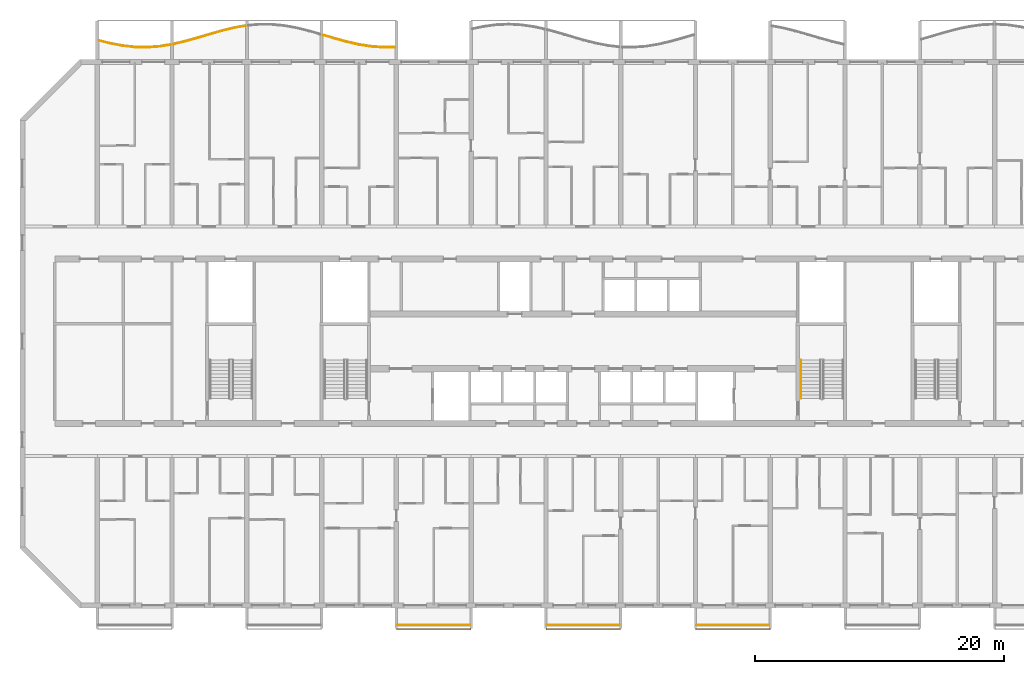
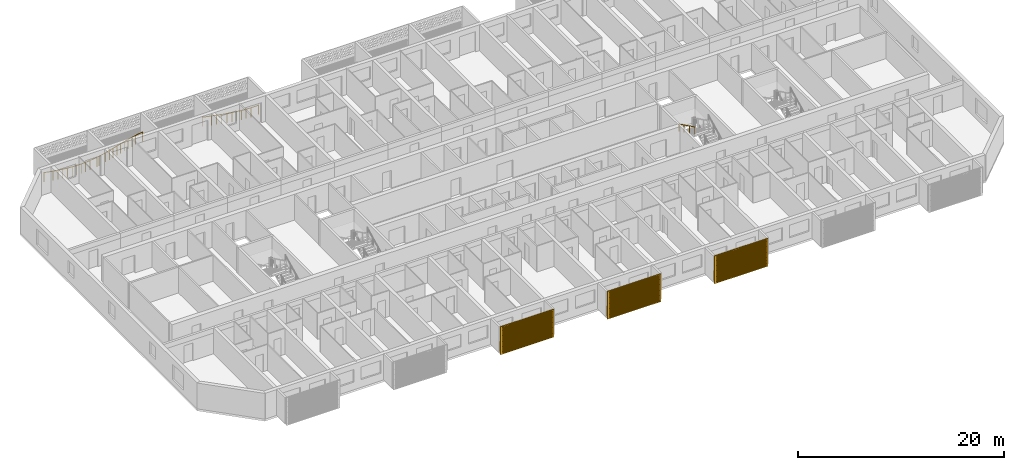
# One storey, part 18 of 26: 7 railings, 3 shading devices.
"""IFC4 building model written with IfcOpenShell, lengths in metres."""

from ifc_helpers import new_model, si_unit, direction, frame, origin, origin_2d, place, context, subcontext, project, spatial, polyline, circle, outline, extrude, source, transform, mapped, material, material_profile, profile_set, type_object, element, save


model = new_model("IFC4")

# Units and contexts
model_context = context("Model", 3, precision=1e-05, world=origin(), true_north=direction((0.0, 1.0)))
body_context = subcontext(model_context, "Body", "Model", "MODEL_VIEW")
ifc_project = project(units=[si_unit("LENGTHUNIT", "METRE"), si_unit("AREAUNIT", "SQUARE_METRE"), si_unit("VOLUMEUNIT", "CUBIC_METRE"), si_unit("PLANEANGLEUNIT", "RADIAN"), si_unit("MASSUNIT", "GRAM", prefix="KILO")], contexts=[model_context])

# Site, building, storey
site_placement = place(None, origin())
site = spatial("IfcSite", under=ifc_project, at=site_placement, CompositionType="ELEMENT")
building_placement = place(site_placement, origin())
building = spatial("IfcBuilding", under=site, at=building_placement, Name="Poui Terraces", CompositionType="ELEMENT")
storey_placement = place(building_placement, frame((0.0, 0.0, 79.5)))
storey = spatial("IfcBuildingStorey", under=building, at=storey_placement, Name="L21", CompositionType="ELEMENT", Elevation=79.5)

# Railings
ifc_material_1 = material(Name="Painted steel fretwork", Category="steel")
railing_type_1 = type_object("IfcRailingType", Name="BALCONY GUARD 1100", PredefinedType="GUARDRAIL", material=ifc_material_1)
railing_1_placement = place(storey_placement, frame((12.125, 45.321044921875, 0.0)))
element("IfcRailing", 1, at=railing_1_placement, inside=storey, type_object=railing_type_1, Name="BALCONY GUARD", PredefinedType="GUARDRAIL", context=body_context, shape_type="SweptSolid", body=[
    extrude(circle(Radius=0.02392578125, at=origin_2d()), frame((0.0, 0.0, 1.076171875), z_axis=(0.969631101491, -0.24457213051, 0.0), x_axis=(0.24457213051, 0.969631101491, 0.0)), (0.0, 0.0, 1.0), 0.90234375),
    extrude(circle(Radius=0.02392578125, at=origin_2d()), frame((0.875, -0.220703125, 1.076171875), z_axis=(0.981724998512, -0.190305090044, 0.0), x_axis=(0.190305090044, 0.981724998512, 0.0)), (0.0, 0.0, 1.0), 1.0185546875),
    extrude(circle(Radius=0.02392578125, at=origin_2d()), frame((1.875, -0.41455078125, 1.076171875), z_axis=(0.993725924527, -0.111842688283, 0.0), x_axis=(0.111842688283, 0.993725924527, 0.0)), (0.0, 0.0, 1.0), 1.00634765625),
    extrude(circle(Radius=0.02392578125, at=origin_2d()), frame((2.875, -0.527099609375, 1.076171875), z_axis=(0.999804524294, -0.019771525017, 0.0), x_axis=(0.019771525017, 0.999804524294, 0.0)), (0.0, 0.0, 1.0), 1.000244140625),
    extrude(circle(Radius=0.02392578125, at=origin_2d()), frame((3.875, -0.546875, 1.076171875), z_axis=(0.997202940152, 0.074741528962, 0.0), x_axis=(-0.074741528962, 0.997202940152, 0.0)), (0.0, 0.0, 1.0), 1.002685546875),
    extrude(circle(Radius=0.02392578125, at=origin_2d()), frame((4.875, -0.471923828125, 1.076171875), z_axis=(0.987927799636, 0.154915017689, 0.0), x_axis=(-0.154915017689, 0.987927799636, 0.0)), (0.0, 0.0, 1.0), 0.8857421875),
    extrude(circle(Radius=0.02099609375, at=origin_2d()), origin(), (0.0, 0.0, 1.0), 1.052001953125),
    extrude(circle(Radius=0.02099609375, at=origin_2d()), frame((0.875, -0.220703125, 0.0)), (0.0, 0.0, 1.0), 1.052001953125),
    extrude(circle(Radius=0.02099609375, at=origin_2d()), frame((1.375, -0.317626953125, 0.0)), (0.0, 0.0, 1.0), 1.052001953125),
    extrude(circle(Radius=0.02099609375, at=origin_2d()), frame((1.875, -0.41455078125, 0.0)), (0.0, 0.0, 1.0), 1.052001953125),
    extrude(circle(Radius=0.02099609375, at=origin_2d()), frame((2.375, -0.470703125, 0.0)), (0.0, 0.0, 1.0), 1.052001953125),
    extrude(circle(Radius=0.02099609375, at=origin_2d()), frame((2.875, -0.527099609375, 0.0)), (0.0, 0.0, 1.0), 1.052001953125),
    extrude(circle(Radius=0.02099609375, at=origin_2d()), frame((3.375, -0.537109375, 0.0)), (0.0, 0.0, 1.0), 1.052001953125),
    extrude(circle(Radius=0.02099609375, at=origin_2d()), frame((3.875, -0.546875, 0.0)), (0.0, 0.0, 1.0), 1.052001953125),
    extrude(circle(Radius=0.02099609375, at=origin_2d()), frame((4.375, -0.50927734375, 0.0)), (0.0, 0.0, 1.0), 1.052001953125),
    extrude(circle(Radius=0.02099609375, at=origin_2d()), frame((4.875, -0.471923828125, 0.0)), (0.0, 0.0, 1.0), 1.052001953125),
    extrude(circle(Radius=0.02099609375, at=origin_2d()), frame((5.75, -0.334716796875, 0.0)), (0.0, 0.0, 1.0), 1.052001953125),
])
railing_2_placement = place(storey_placement, frame((18.125, 45.03662109375, 0.0)))
element("IfcRailing", 2, at=railing_2_placement, inside=storey, type_object=railing_type_1, Name="BALCONY GUARD", PredefinedType="GUARDRAIL", context=body_context, shape_type="SweptSolid", body=[
    extrude(circle(Radius=0.02392578125, at=origin_2d()), frame((0.0, 0.0, 1.076171875), z_axis=(0.973192348595, 0.229992723008, 0.0), x_axis=(-0.229992723008, 0.973192348595, 0.0)), (0.0, 0.0, 1.0), 0.899169921875),
    extrude(circle(Radius=0.02392578125, at=origin_2d()), frame((0.875, 0.206787109375, 1.076171875), z_axis=(0.963261408291, 0.268565558659, 0.0), x_axis=(-0.268565558659, 0.963261408291, 0.0)), (0.0, 0.0, 1.0), 1.0380859375),
    extrude(circle(Radius=0.02392578125, at=origin_2d()), frame((1.875, 0.485595703125, 1.076171875), z_axis=(0.958710700624, 0.284383179018, 0.0), x_axis=(-0.284383179018, 0.958710700624, 0.0)), (0.0, 0.0, 1.0), 1.04296875),
    extrude(circle(Radius=0.02392578125, at=origin_2d()), frame((2.875, 0.7822265625, 1.076171875), z_axis=(0.961974635381, 0.273138794177, 0.0), x_axis=(-0.273138794177, 0.961974635381, 0.0)), (0.0, 0.0, 1.0), 1.03955078125),
    extrude(circle(Radius=0.02392578125, at=origin_2d()), frame((3.875, 1.066162109375, 1.076171875), z_axis=(0.97195702449, 0.235158547673, 0.0), x_axis=(-0.235158547673, 0.97195702449, 0.0)), (0.0, 0.0, 1.0), 1.02880859375),
    extrude(circle(Radius=0.02392578125, at=origin_2d()), frame((4.875, 1.30810546875, 1.076171875), z_axis=(0.984189068803, 0.177121079626, 0.0), x_axis=(-0.177121079626, 0.984189068803, 0.0)), (0.0, 0.0, 1.0), 0.88916015625),
    extrude(circle(Radius=0.02099609375, at=origin_2d()), origin(), (0.0, 0.0, 1.0), 1.052001953125),
    extrude(circle(Radius=0.02099609375, at=origin_2d()), frame((0.875, 0.206787109375, 0.0)), (0.0, 0.0, 1.0), 1.052001953125),
    extrude(circle(Radius=0.02099609375, at=origin_2d()), frame((1.375, 0.34619140625, 0.0)), (0.0, 0.0, 1.0), 1.052001953125),
    extrude(circle(Radius=0.02099609375, at=origin_2d()), frame((1.875, 0.485595703125, 0.0)), (0.0, 0.0, 1.0), 1.052001953125),
    extrude(circle(Radius=0.02099609375, at=origin_2d()), frame((2.375, 0.6337890625, 0.0)), (0.0, 0.0, 1.0), 1.052001953125),
    extrude(circle(Radius=0.02099609375, at=origin_2d()), frame((2.875, 0.7822265625, 0.0)), (0.0, 0.0, 1.0), 1.052001953125),
    extrude(circle(Radius=0.02099609375, at=origin_2d()), frame((3.375, 0.92431640625, 0.0)), (0.0, 0.0, 1.0), 1.052001953125),
    extrude(circle(Radius=0.02099609375, at=origin_2d()), frame((3.875, 1.066162109375, 0.0)), (0.0, 0.0, 1.0), 1.052001953125),
    extrude(circle(Radius=0.02099609375, at=origin_2d()), frame((4.375, 1.18701171875, 0.0)), (0.0, 0.0, 1.0), 1.052001953125),
    extrude(circle(Radius=0.02099609375, at=origin_2d()), frame((4.875, 1.30810546875, 0.0)), (0.0, 0.0, 1.0), 1.052001953125),
    extrude(circle(Radius=0.02099609375, at=origin_2d()), frame((5.75, 1.465576171875, 0.0)), (0.0, 0.0, 1.0), 1.052001953125),
])
railing_3_placement = place(storey_placement, frame((30.125, 45.757080078125, 0.0)))
element("IfcRailing", 3, at=railing_3_placement, inside=storey, type_object=railing_type_1, Name="BALCONY GUARD", PredefinedType="GUARDRAIL", context=body_context, shape_type="SweptSolid", body=[
    extrude(circle(Radius=0.02392578125, at=origin_2d()), frame((0.0, 0.0, 1.076171875), z_axis=(0.9587927149, -0.284106546658, 0.0), x_axis=(0.284106546658, 0.9587927149, 0.0)), (0.0, 0.0, 1.0), 0.91259765625),
    extrude(circle(Radius=0.02392578125, at=origin_2d()), frame((0.875, -0.25927734375, 1.076171875), z_axis=(0.963928100541, -0.26616276409, 0.0), x_axis=(0.26616276409, 0.963928100541, 0.0)), (0.0, 0.0, 1.0), 1.037353515625),
    extrude(circle(Radius=0.02392578125, at=origin_2d()), frame((1.875, -0.535400390625, 1.076171875), z_axis=(0.975128178395, -0.221641683127, 0.0), x_axis=(0.221641683127, 0.975128178395, 0.0)), (0.0, 0.0, 1.0), 1.025390625),
    extrude(circle(Radius=0.02392578125, at=origin_2d()), frame((2.875, -0.7626953125, 1.076171875), z_axis=(0.9881587723, -0.153434809371, 0.0), x_axis=(0.153434809371, 0.9881587723, 0.0)), (0.0, 0.0, 1.0), 1.011962890625),
    extrude(circle(Radius=0.02392578125, at=origin_2d()), frame((3.875, -0.91796875, 1.076171875), z_axis=(0.997770042152, -0.066745359265, 0.0), x_axis=(0.066745359265, 0.997770042152, 0.0)), (0.0, 0.0, 1.0), 1.002197265625),
    extrude(circle(Radius=0.02392578125, at=origin_2d()), frame((4.875, -0.98486328125, 1.076171875), z_axis=(0.99976326146, 0.021758240623, 0.0), x_axis=(-0.021758240623, 0.99976326146, 0.0)), (0.0, 0.0, 1.0), 0.875244140625),
    extrude(circle(Radius=0.02099609375, at=origin_2d()), origin(), (0.0, 0.0, 1.0), 1.052001953125),
    extrude(circle(Radius=0.02099609375, at=origin_2d()), frame((0.875, -0.25927734375, 0.0)), (0.0, 0.0, 1.0), 1.052001953125),
    extrude(circle(Radius=0.02099609375, at=origin_2d()), frame((1.375, -0.3974609375, 0.0)), (0.0, 0.0, 1.0), 1.052001953125),
    extrude(circle(Radius=0.02099609375, at=origin_2d()), frame((1.875, -0.535400390625, 0.0)), (0.0, 0.0, 1.0), 1.052001953125),
    extrude(circle(Radius=0.02099609375, at=origin_2d()), frame((2.375, -0.64892578125, 0.0)), (0.0, 0.0, 1.0), 1.052001953125),
    extrude(circle(Radius=0.02099609375, at=origin_2d()), frame((2.875, -0.7626953125, 0.0)), (0.0, 0.0, 1.0), 1.052001953125),
    extrude(circle(Radius=0.02099609375, at=origin_2d()), frame((3.375, -0.84033203125, 0.0)), (0.0, 0.0, 1.0), 1.052001953125),
    extrude(circle(Radius=0.02099609375, at=origin_2d()), frame((3.875, -0.91796875, 0.0)), (0.0, 0.0, 1.0), 1.052001953125),
    extrude(circle(Radius=0.02099609375, at=origin_2d()), frame((4.375, -0.951416015625, 0.0)), (0.0, 0.0, 1.0), 1.052001953125),
    extrude(circle(Radius=0.02099609375, at=origin_2d()), frame((4.875, -0.98486328125, 0.0)), (0.0, 0.0, 1.0), 1.052001953125),
    extrude(circle(Radius=0.02099609375, at=origin_2d()), frame((5.75, -0.9658203125, 0.0)), (0.0, 0.0, 1.0), 1.052001953125),
])
for number, where, name in (
    (4, (36.10009765625, -1.570068359375, 0.0), "BALCONY GUARD"),
    (5, (48.10009765625, -1.570068359375, 0.0), "BALCONY GUARD"),
    (6, (60.10009765625, -1.570068359375, 0.0), "BALCONY GUARD"),
):
    element("IfcRailing", number, at=place(storey_placement, frame(where)), inside=storey, type_object=railing_type_1, Name=name, PredefinedType="GUARDRAIL", context=body_context, shape_type="SweptSolid", body=[
        extrude(circle(Radius=0.02392578125, at=origin_2d()), frame((0.0, 0.0, 1.076171875), z_axis=(1.0, 0.0, 0.0), x_axis=(0.0, 1.0, 0.0)), (0.0, 0.0, 1.0), 5.7998046875),
        extrude(circle(Radius=0.02099609375, at=origin_2d()), origin(), (0.0, 0.0, 1.0), 1.052001953125),
        extrude(circle(Radius=0.02099609375, at=origin_2d()), frame((0.966552734375, 0.0, 0.0)), (0.0, 0.0, 1.0), 1.052001953125),
        extrude(circle(Radius=0.02099609375, at=origin_2d()), frame((1.933349609375, 0.0, 0.0)), (0.0, 0.0, 1.0), 1.052001953125),
        extrude(circle(Radius=0.02099609375, at=origin_2d()), frame((2.89990234375, 0.0, 0.0)), (0.0, 0.0, 1.0), 1.052001953125),
        extrude(circle(Radius=0.02099609375, at=origin_2d()), frame((3.866455078125, 0.0, 0.0)), (0.0, 0.0, 1.0), 1.052001953125),
        extrude(circle(Radius=0.02099609375, at=origin_2d()), frame((4.833251953125, 0.0, 0.0)), (0.0, 0.0, 1.0), 1.052001953125),
        extrude(circle(Radius=0.02099609375, at=origin_2d()), frame((5.7998046875, 0.0, 0.0)), (0.0, 0.0, 1.0), 1.052001953125),
    ])
ifc_material_2 = material(Name="Stainless steel handrail", Category="steel")
railing_type_2 = type_object("IfcRailingType", Name="STAIR HANDRAIL 900", PredefinedType="HANDRAIL", material=ifc_material_2)
railing_4_placement = place(storey_placement, frame((68.47509765625, 19.679931640625, 1.78759765625)))
element("IfcRailing", 7, at=railing_4_placement, inside=storey, type_object=railing_type_2, Name="L21 ST-CE stair handrail 2", PredefinedType="HANDRAIL", context=body_context, shape_type="SweptSolid", body=[
    extrude(circle(Radius=0.02392578125, at=origin_2d()), frame((0.0, 0.0, 0.8759765625), z_axis=(0.0, -0.897606190399, 0.440798283751), x_axis=(1.0, 0.0, 0.0)), (0.0, 0.0, 1.0), 3.43115234375),
    extrude(circle(Radius=0.02099609375, at=origin_2d()), origin(), (0.0, 0.0, 1.0), 0.851806640625),
    extrude(circle(Radius=0.02099609375, at=origin_2d()), frame((0.0, -1.026611328125, 0.504150390625)), (0.0, 0.0, 1.0), 0.851806640625),
    extrude(circle(Radius=0.02099609375, at=origin_2d()), frame((0.0, -2.05322265625, 1.00830078125)), (0.0, 0.0, 1.0), 0.851806640625),
    extrude(circle(Radius=0.02099609375, at=origin_2d()), frame((0.0, -3.079833984375, 1.512451171875)), (0.0, 0.0, 1.0), 0.851806640625),
])

# Shading devices
ifc_material_3 = material(Name="Aluminium louvre", Category="aluminium")
ifc_material_profile = material_profile(ifc_material_3, outline(polyline([(-3.0, -1.64990234375), (3.0, -1.64990234375), (3.0, 1.64990234375), (-3.0, 1.64990234375), (-3.0, -1.64990234375)]), holes=[polyline([(-2.800048828125, -1.530029296875), (2.800048828125, -1.530029296875), (2.800048828125, -1.469970703125), (-2.800048828125, -1.469970703125), (-2.800048828125, -1.530029296875)]), polyline([(-2.800048828125, -1.429931640625), (2.800048828125, -1.429931640625), (2.800048828125, -1.3701171875), (-2.800048828125, -1.3701171875), (-2.800048828125, -1.429931640625)]), polyline([(-2.800048828125, -1.330078125), (2.800048828125, -1.330078125), (2.800048828125, -1.27001953125), (-2.800048828125, -1.27001953125), (-2.800048828125, -1.330078125)]), polyline([(-2.800048828125, -1.22998046875), (2.800048828125, -1.22998046875), (2.800048828125, -1.169921875), (-2.800048828125, -1.169921875), (-2.800048828125, -1.22998046875)]), polyline([(-2.800048828125, -1.1298828125), (2.800048828125, -1.1298828125), (2.800048828125, -1.070068359375), (-2.800048828125, -1.070068359375), (-2.800048828125, -1.1298828125)]), polyline([(-2.800048828125, -1.030029296875), (2.800048828125, -1.030029296875), (2.800048828125, -0.969970703125), (-2.800048828125, -0.969970703125), (-2.800048828125, -1.030029296875)]), polyline([(-2.800048828125, -0.929931640625), (2.800048828125, -0.929931640625), (2.800048828125, -0.8701171875), (-2.800048828125, -0.8701171875), (-2.800048828125, -0.929931640625)]), polyline([(-2.800048828125, -0.830078125), (2.800048828125, -0.830078125), (2.800048828125, -0.77001953125), (-2.800048828125, -0.77001953125), (-2.800048828125, -0.830078125)]), polyline([(-2.800048828125, -0.72998046875), (2.800048828125, -0.72998046875), (2.800048828125, -0.669921875), (-2.800048828125, -0.669921875), (-2.800048828125, -0.72998046875)]), polyline([(-2.800048828125, -0.6298828125), (2.800048828125, -0.6298828125), (2.800048828125, -0.570068359375), (-2.800048828125, -0.570068359375), (-2.800048828125, -0.6298828125)]), polyline([(-2.800048828125, -0.530029296875), (2.800048828125, -0.530029296875), (2.800048828125, -0.469970703125), (-2.800048828125, -0.469970703125), (-2.800048828125, -0.530029296875)]), polyline([(-2.800048828125, -0.429931640625), (2.800048828125, -0.429931640625), (2.800048828125, -0.3701171875), (-2.800048828125, -0.3701171875), (-2.800048828125, -0.429931640625)]), polyline([(-2.800048828125, -0.330078125), (2.800048828125, -0.330078125), (2.800048828125, -0.27001953125), (-2.800048828125, -0.27001953125), (-2.800048828125, -0.330078125)]), polyline([(-2.800048828125, -0.22998046875), (2.800048828125, -0.22998046875), (2.800048828125, -0.169921875), (-2.800048828125, -0.169921875), (-2.800048828125, -0.22998046875)]), polyline([(-2.800048828125, -0.1298828125), (2.800048828125, -0.1298828125), (2.800048828125, -0.070068359375), (-2.800048828125, -0.070068359375), (-2.800048828125, -0.1298828125)]), polyline([(-2.800048828125, -0.030029296875), (2.800048828125, -0.030029296875), (2.800048828125, 0.030029296875), (-2.800048828125, 0.030029296875), (-2.800048828125, -0.030029296875)]), polyline([(-2.800048828125, 0.070068359375), (2.800048828125, 0.070068359375), (2.800048828125, 0.1298828125), (-2.800048828125, 0.1298828125), (-2.800048828125, 0.070068359375)]), polyline([(-2.800048828125, 0.169921875), (2.800048828125, 0.169921875), (2.800048828125, 0.22998046875), (-2.800048828125, 0.22998046875), (-2.800048828125, 0.169921875)]), polyline([(-2.800048828125, 0.27001953125), (2.800048828125, 0.27001953125), (2.800048828125, 0.330078125), (-2.800048828125, 0.330078125), (-2.800048828125, 0.27001953125)]), polyline([(-2.800048828125, 0.3701171875), (2.800048828125, 0.3701171875), (2.800048828125, 0.429931640625), (-2.800048828125, 0.429931640625), (-2.800048828125, 0.3701171875)]), polyline([(-2.800048828125, 0.469970703125), (2.800048828125, 0.469970703125), (2.800048828125, 0.530029296875), (-2.800048828125, 0.530029296875), (-2.800048828125, 0.469970703125)]), polyline([(-2.800048828125, 0.570068359375), (2.800048828125, 0.570068359375), (2.800048828125, 0.6298828125), (-2.800048828125, 0.6298828125), (-2.800048828125, 0.570068359375)]), polyline([(-2.800048828125, 0.669921875), (2.800048828125, 0.669921875), (2.800048828125, 0.72998046875), (-2.800048828125, 0.72998046875), (-2.800048828125, 0.669921875)]), polyline([(-2.800048828125, 0.77001953125), (2.800048828125, 0.77001953125), (2.800048828125, 0.830078125), (-2.800048828125, 0.830078125), (-2.800048828125, 0.77001953125)]), polyline([(-2.800048828125, 0.8701171875), (2.800048828125, 0.8701171875), (2.800048828125, 0.929931640625), (-2.800048828125, 0.929931640625), (-2.800048828125, 0.8701171875)]), polyline([(-2.800048828125, 0.969970703125), (2.800048828125, 0.969970703125), (2.800048828125, 1.030029296875), (-2.800048828125, 1.030029296875), (-2.800048828125, 0.969970703125)]), polyline([(-2.800048828125, 1.070068359375), (2.800048828125, 1.070068359375), (2.800048828125, 1.1298828125), (-2.800048828125, 1.1298828125), (-2.800048828125, 1.070068359375)]), polyline([(-2.800048828125, 1.169921875), (2.800048828125, 1.169921875), (2.800048828125, 1.22998046875), (-2.800048828125, 1.22998046875), (-2.800048828125, 1.169921875)]), polyline([(-2.800048828125, 1.27001953125), (2.800048828125, 1.27001953125), (2.800048828125, 1.330078125), (-2.800048828125, 1.330078125), (-2.800048828125, 1.27001953125)]), polyline([(-2.800048828125, 1.3701171875), (2.800048828125, 1.3701171875), (2.800048828125, 1.429931640625), (-2.800048828125, 1.429931640625), (-2.800048828125, 1.3701171875)]), polyline([(-2.800048828125, 1.469970703125), (2.800048828125, 1.469970703125), (2.800048828125, 1.530029296875), (-2.800048828125, 1.530029296875), (-2.800048828125, 1.469970703125)])]), Name="JALOUSIE LOUVRE SHUTTER 6000X3300")
ifc_profile_set = profile_set([ifc_material_profile], Name="Aluminium louvre")
shading_device_type = type_object("IfcShadingDeviceType", Name="JALOUSIE LOUVRE SHUTTER 6000X3300", PredefinedType="JALOUSIE", material=ifc_profile_set)
shared_shape = source(origin(), body_context, "Body", "SweptSolid", [
    extrude(outline(polyline([(-3.0, -1.64990234375), (3.0, -1.64990234375), (3.0, 1.64990234375), (-3.0, 1.64990234375), (-3.0, -1.64990234375)]), holes=[polyline([(-2.800048828125, -1.530029296875), (2.800048828125, -1.530029296875), (2.800048828125, -1.469970703125), (-2.800048828125, -1.469970703125), (-2.800048828125, -1.530029296875)]), polyline([(-2.800048828125, -1.429931640625), (2.800048828125, -1.429931640625), (2.800048828125, -1.3701171875), (-2.800048828125, -1.3701171875), (-2.800048828125, -1.429931640625)]), polyline([(-2.800048828125, -1.330078125), (2.800048828125, -1.330078125), (2.800048828125, -1.27001953125), (-2.800048828125, -1.27001953125), (-2.800048828125, -1.330078125)]), polyline([(-2.800048828125, -1.22998046875), (2.800048828125, -1.22998046875), (2.800048828125, -1.169921875), (-2.800048828125, -1.169921875), (-2.800048828125, -1.22998046875)]), polyline([(-2.800048828125, -1.1298828125), (2.800048828125, -1.1298828125), (2.800048828125, -1.070068359375), (-2.800048828125, -1.070068359375), (-2.800048828125, -1.1298828125)]), polyline([(-2.800048828125, -1.030029296875), (2.800048828125, -1.030029296875), (2.800048828125, -0.969970703125), (-2.800048828125, -0.969970703125), (-2.800048828125, -1.030029296875)]), polyline([(-2.800048828125, -0.929931640625), (2.800048828125, -0.929931640625), (2.800048828125, -0.8701171875), (-2.800048828125, -0.8701171875), (-2.800048828125, -0.929931640625)]), polyline([(-2.800048828125, -0.830078125), (2.800048828125, -0.830078125), (2.800048828125, -0.77001953125), (-2.800048828125, -0.77001953125), (-2.800048828125, -0.830078125)]), polyline([(-2.800048828125, -0.72998046875), (2.800048828125, -0.72998046875), (2.800048828125, -0.669921875), (-2.800048828125, -0.669921875), (-2.800048828125, -0.72998046875)]), polyline([(-2.800048828125, -0.6298828125), (2.800048828125, -0.6298828125), (2.800048828125, -0.570068359375), (-2.800048828125, -0.570068359375), (-2.800048828125, -0.6298828125)]), polyline([(-2.800048828125, -0.530029296875), (2.800048828125, -0.530029296875), (2.800048828125, -0.469970703125), (-2.800048828125, -0.469970703125), (-2.800048828125, -0.530029296875)]), polyline([(-2.800048828125, -0.429931640625), (2.800048828125, -0.429931640625), (2.800048828125, -0.3701171875), (-2.800048828125, -0.3701171875), (-2.800048828125, -0.429931640625)]), polyline([(-2.800048828125, -0.330078125), (2.800048828125, -0.330078125), (2.800048828125, -0.27001953125), (-2.800048828125, -0.27001953125), (-2.800048828125, -0.330078125)]), polyline([(-2.800048828125, -0.22998046875), (2.800048828125, -0.22998046875), (2.800048828125, -0.169921875), (-2.800048828125, -0.169921875), (-2.800048828125, -0.22998046875)]), polyline([(-2.800048828125, -0.1298828125), (2.800048828125, -0.1298828125), (2.800048828125, -0.070068359375), (-2.800048828125, -0.070068359375), (-2.800048828125, -0.1298828125)]), polyline([(-2.800048828125, -0.030029296875), (2.800048828125, -0.030029296875), (2.800048828125, 0.030029296875), (-2.800048828125, 0.030029296875), (-2.800048828125, -0.030029296875)]), polyline([(-2.800048828125, 0.070068359375), (2.800048828125, 0.070068359375), (2.800048828125, 0.1298828125), (-2.800048828125, 0.1298828125), (-2.800048828125, 0.070068359375)]), polyline([(-2.800048828125, 0.169921875), (2.800048828125, 0.169921875), (2.800048828125, 0.22998046875), (-2.800048828125, 0.22998046875), (-2.800048828125, 0.169921875)]), polyline([(-2.800048828125, 0.27001953125), (2.800048828125, 0.27001953125), (2.800048828125, 0.330078125), (-2.800048828125, 0.330078125), (-2.800048828125, 0.27001953125)]), polyline([(-2.800048828125, 0.3701171875), (2.800048828125, 0.3701171875), (2.800048828125, 0.429931640625), (-2.800048828125, 0.429931640625), (-2.800048828125, 0.3701171875)]), polyline([(-2.800048828125, 0.469970703125), (2.800048828125, 0.469970703125), (2.800048828125, 0.530029296875), (-2.800048828125, 0.530029296875), (-2.800048828125, 0.469970703125)]), polyline([(-2.800048828125, 0.570068359375), (2.800048828125, 0.570068359375), (2.800048828125, 0.6298828125), (-2.800048828125, 0.6298828125), (-2.800048828125, 0.570068359375)]), polyline([(-2.800048828125, 0.669921875), (2.800048828125, 0.669921875), (2.800048828125, 0.72998046875), (-2.800048828125, 0.72998046875), (-2.800048828125, 0.669921875)]), polyline([(-2.800048828125, 0.77001953125), (2.800048828125, 0.77001953125), (2.800048828125, 0.830078125), (-2.800048828125, 0.830078125), (-2.800048828125, 0.77001953125)]), polyline([(-2.800048828125, 0.8701171875), (2.800048828125, 0.8701171875), (2.800048828125, 0.929931640625), (-2.800048828125, 0.929931640625), (-2.800048828125, 0.8701171875)]), polyline([(-2.800048828125, 0.969970703125), (2.800048828125, 0.969970703125), (2.800048828125, 1.030029296875), (-2.800048828125, 1.030029296875), (-2.800048828125, 0.969970703125)]), polyline([(-2.800048828125, 1.070068359375), (2.800048828125, 1.070068359375), (2.800048828125, 1.1298828125), (-2.800048828125, 1.1298828125), (-2.800048828125, 1.070068359375)]), polyline([(-2.800048828125, 1.169921875), (2.800048828125, 1.169921875), (2.800048828125, 1.22998046875), (-2.800048828125, 1.22998046875), (-2.800048828125, 1.169921875)]), polyline([(-2.800048828125, 1.27001953125), (2.800048828125, 1.27001953125), (2.800048828125, 1.330078125), (-2.800048828125, 1.330078125), (-2.800048828125, 1.27001953125)]), polyline([(-2.800048828125, 1.3701171875), (2.800048828125, 1.3701171875), (2.800048828125, 1.429931640625), (-2.800048828125, 1.429931640625), (-2.800048828125, 1.3701171875)]), polyline([(-2.800048828125, 1.469970703125), (2.800048828125, 1.469970703125), (2.800048828125, 1.530029296875), (-2.800048828125, 1.530029296875), (-2.800048828125, 1.469970703125)])]), origin(), (0.0, 0.0, 1.0), 0.099853515625),
])
for number, where, z_axis, x_axis, name in (
    (8, (39.0, -1.85009765625, 1.449951171875), (0.0, -1.0, 0.0), (1.0, 0.0, 0.0), "JALOUSIE LOUVRE SHUTTER"),
    (9, (51.0, -1.85009765625, 1.449951171875), (0.0, -1.0, 0.0), (1.0, 0.0, 0.0), "JALOUSIE LOUVRE SHUTTER"),
    (10, (63.0, -1.85009765625, 1.449951171875), (0.0, -1.0, 0.0), (1.0, 0.0, 0.0), "JALOUSIE LOUVRE SHUTTER"),
):
    element("IfcShadingDevice", number, at=place(storey_placement, frame(where, z_axis=z_axis, x_axis=x_axis)), inside=storey, type_object=shading_device_type, Name=name, PredefinedType="JALOUSIE", context=body_context, shape_type="MappedRepresentation", body=[
        mapped(shared_shape, transform((0.0, 0.0, 0.0))),
    ])

save(model, "model.ifc")
